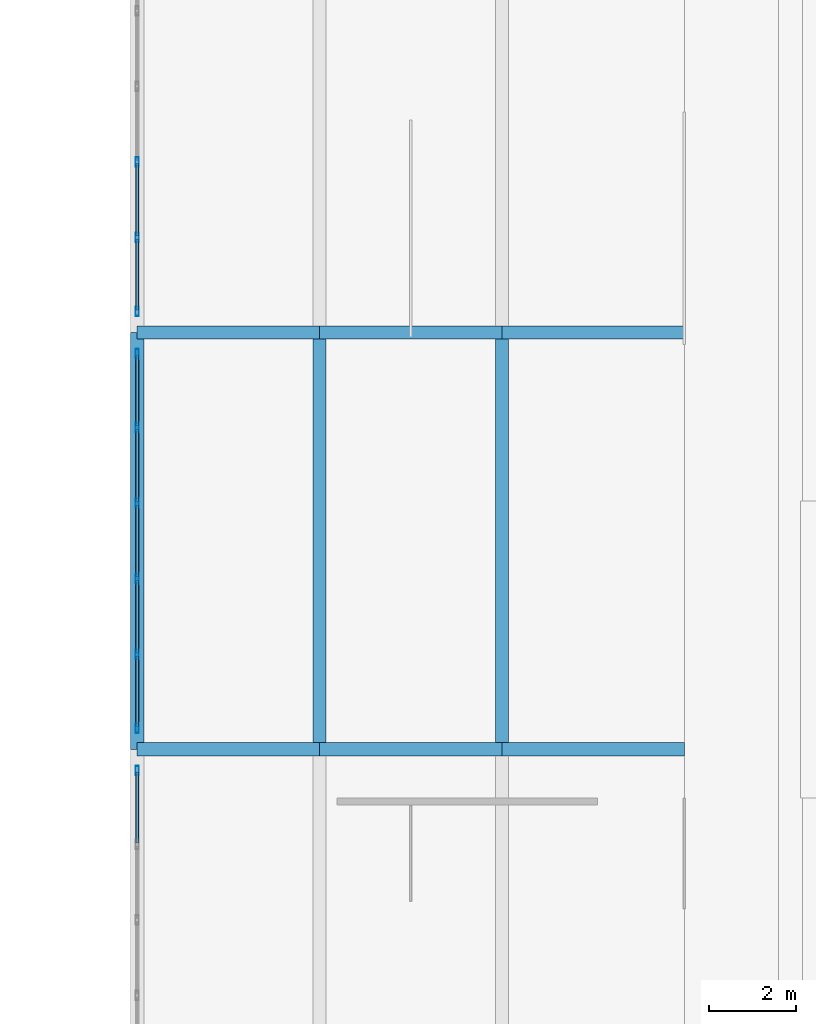
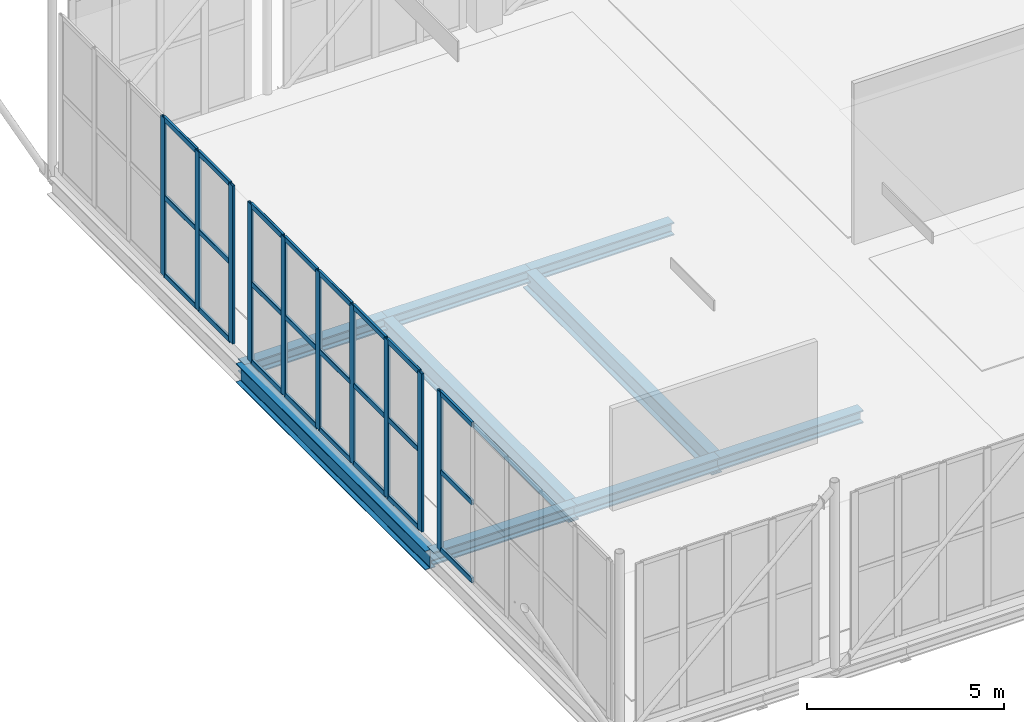
# One storey, part 5 of 49: 40 members, 3 beams, 3 elements without a shape of their own.
"""IFC4 building model written with IfcOpenShell, lengths in metres."""

from ifc_helpers import new_model, si_unit, direction, frame, origin, origin_2d, place, context, subcontext, project, spatial, hollow_rectangle, i_section, extrude, material, layer, layer_set, material_profile, profile_set, type_object, element, aggregate, save


model = new_model("IFC4")

# Units and contexts
model_context = context("Model", 3, precision=1e-05, world=origin(), true_north=direction((0.0, 1.0)))
body_context = subcontext(model_context, "Body", "Model", "MODEL_VIEW")
ifc_project = project(units=[si_unit("LENGTHUNIT", "METRE"), si_unit("AREAUNIT", "SQUARE_METRE"), si_unit("VOLUMEUNIT", "CUBIC_METRE"), si_unit("PLANEANGLEUNIT", "RADIAN"), si_unit("MASSUNIT", "GRAM", prefix="KILO")], contexts=[model_context])

# Site, building, storey
site_placement = place(None, origin())
site = spatial("IfcSite", under=ifc_project, at=site_placement, CompositionType="ELEMENT")
building_placement = place(site_placement, origin())
building = spatial("IfcBuilding", under=site, at=building_placement, Name="Zulmaris Art Gallery", CompositionType="ELEMENT")
storey_placement = place(building_placement, frame((0.0, 0.0, 20.699951171875)))
storey = spatial("IfcBuildingStorey", under=building, at=storey_placement, Name="L04", CompositionType="ELEMENT", Elevation=20.699951171875)

# Beams
ifc_material_1 = material(Name="Steel S355J2", Category="steel")
ifc_material_profile_1 = material_profile(ifc_material_1, i_section(OverallWidth=0.300048828125, OverallDepth=0.590087890625, WebThickness=0.012939453125, FlangeThickness=0.02490234375, FilletRadius=0.027099609375, at=origin_2d()), Name="HEA 600")
ifc_profile_set_1 = profile_set([ifc_material_profile_1], Name="Steel S355J2")
beam_type = type_object("IfcBeamType", Name="BEAM-BM12", PredefinedType="BEAM", material=ifc_profile_set_1)
for number, where, z_axis, x_axis, name in (
    (1, (11.39990234375, 31.199951171875, -0.614990234375), (0.0, 1.0, 0.0), (-1.0, 0.0, 0.0), "L04 cantilever transverse girder at x=11.4"),
    (2, (15.60009765625, 31.199951171875, -0.614990234375), (0.0, 1.0, 0.0), (-1.0, 0.0, 0.0), "L04 cantilever transverse girder at x=15.6"),
    (3, (19.800048828125, 31.199951171875, -0.614990234375), (0.0, 1.0, 0.0), (-1.0, 0.0, 0.0), "L04 cantilever transverse girder at x=19.8"),
):
    element("IfcBeam", number, at=place(storey_placement, frame(where, z_axis=z_axis, x_axis=x_axis)), inside=storey, type_object=beam_type, Name=name, PredefinedType="BEAM", context=body_context, shape_type="SweptSolid", body=[
        extrude(i_section(OverallWidth=0.300048828125, OverallDepth=0.590087890625, WebThickness=0.012939453125, FlangeThickness=0.02490234375, FilletRadius=0.027099609375, at=origin_2d()), origin(), (0.0, 0.0, 1.0), 9.60009765625),
    ])

# Curtain wall, member
ifc_material_2 = material(Name="Belvedere Horizon Glazed Curtain Wall", Category="aluminium")
ifc_layer = layer(ifc_material_2, 0.179931640625)
ifc_layer_set = layer_set([ifc_layer], Name="Belvedere Horizon Glazed Curtain Wall")
curtain_wall_type = type_object("IfcCurtainWallType", Name="CW-CW02", PredefinedType="NOTDEFINED", material=ifc_layer_set)
curtain_wall_1_placement = place(storey_placement, origin())
curtain_wall_1 = element("IfcCurtainWall", 4, at=curtain_wall_1_placement, inside=storey, type_object=curtain_wall_type, Name="L04 curtain wall 35", PredefinedType="NOTDEFINED")
ifc_material_3 = material(Name="Anodised Bronze Aluminium", Category="aluminium")
ifc_material_profile_2 = material_profile(ifc_material_3, hollow_rectangle(XDim=0.074951171875, YDim=0.219970703125, WallThickness=0.0048828125, InnerFilletRadius=0.007568359375, OuterFilletRadius=0.012451171875, at=origin_2d()), Name="ALU 75x220x5")
ifc_profile_set_2 = profile_set([ifc_material_profile_2], Name="Anodised Bronze Aluminium")
member_type_1 = type_object("IfcMemberType", Name="CWMUL-02", PredefinedType="MULLION", material=ifc_profile_set_2)
member_1_placement = place(storey_placement, frame((11.39990234375, 30.71240234375, 0.0), z_axis=(0.0, 0.0, 1.0), x_axis=(-1.0, 0.0, 0.0)))
member_1 = element("IfcMember", 5, at=member_1_placement, type_object=member_type_1, Name="CW02 mullion 6", PredefinedType="MULLION", context=body_context, shape_type="SweptSolid", body=[
    extrude(hollow_rectangle(XDim=0.074951171875, YDim=0.219970703125, WallThickness=0.0048828125, InnerFilletRadius=0.007568359375, OuterFilletRadius=0.012451171875, at=origin_2d()), origin(), (0.0, 0.0, 1.0), 4.900146484375),
])

# Curtain wall, members
curtain_wall_2_placement = place(storey_placement, origin())
curtain_wall_2 = element("IfcCurtainWall", 6, at=curtain_wall_2_placement, inside=storey, type_object=curtain_wall_type, Name="L04 curtain wall 36", PredefinedType="NOTDEFINED")
member_2_placement = place(storey_placement, frame((11.39990234375, 31.6875, 0.0), z_axis=(0.0, 0.0, 1.0), x_axis=(-1.0, 0.0, 0.0)))
member_2 = element("IfcMember", 7, at=member_2_placement, type_object=member_type_1, Name="CW02 mullion 1", PredefinedType="MULLION", context=body_context, shape_type="SweptSolid", body=[
    extrude(hollow_rectangle(XDim=0.074951171875, YDim=0.219970703125, WallThickness=0.0048828125, InnerFilletRadius=0.007568359375, OuterFilletRadius=0.012451171875, at=origin_2d()), origin(), (0.0, 0.0, 1.0), 4.900146484375),
])
member_3_placement = place(storey_placement, frame((11.39990234375, 33.389892578125, 0.0), z_axis=(0.0, 0.0, 1.0), x_axis=(-1.0, 0.0, 0.0)))
member_3 = element("IfcMember", 8, at=member_3_placement, type_object=member_type_1, Name="CW02 mullion 2", PredefinedType="MULLION", context=body_context, shape_type="SweptSolid", body=[
    extrude(hollow_rectangle(XDim=0.074951171875, YDim=0.219970703125, WallThickness=0.0048828125, InnerFilletRadius=0.007568359375, OuterFilletRadius=0.012451171875, at=origin_2d()), origin(), (0.0, 0.0, 1.0), 4.900146484375),
])
member_4_placement = place(storey_placement, frame((11.39990234375, 35.1298828125, 0.0), z_axis=(0.0, 0.0, 1.0), x_axis=(-1.0, 0.0, 0.0)))
member_4 = element("IfcMember", 9, at=member_4_placement, type_object=member_type_1, Name="CW02 mullion 3", PredefinedType="MULLION", context=body_context, shape_type="SweptSolid", body=[
    extrude(hollow_rectangle(XDim=0.074951171875, YDim=0.219970703125, WallThickness=0.0048828125, InnerFilletRadius=0.007568359375, OuterFilletRadius=0.012451171875, at=origin_2d()), origin(), (0.0, 0.0, 1.0), 4.900146484375),
])
member_5_placement = place(storey_placement, frame((11.39990234375, 36.8701171875, 0.0), z_axis=(0.0, 0.0, 1.0), x_axis=(-1.0, 0.0, 0.0)))
member_5 = element("IfcMember", 10, at=member_5_placement, type_object=member_type_1, Name="CW02 mullion 4", PredefinedType="MULLION", context=body_context, shape_type="SweptSolid", body=[
    extrude(hollow_rectangle(XDim=0.074951171875, YDim=0.219970703125, WallThickness=0.0048828125, InnerFilletRadius=0.007568359375, OuterFilletRadius=0.012451171875, at=origin_2d()), origin(), (0.0, 0.0, 1.0), 4.900146484375),
])
member_6_placement = place(storey_placement, frame((11.39990234375, 38.610107421875, 0.0), z_axis=(0.0, 0.0, 1.0), x_axis=(-1.0, 0.0, 0.0)))
member_6 = element("IfcMember", 11, at=member_6_placement, type_object=member_type_1, Name="CW02 mullion 5", PredefinedType="MULLION", context=body_context, shape_type="SweptSolid", body=[
    extrude(hollow_rectangle(XDim=0.074951171875, YDim=0.219970703125, WallThickness=0.0048828125, InnerFilletRadius=0.007568359375, OuterFilletRadius=0.012451171875, at=origin_2d()), origin(), (0.0, 0.0, 1.0), 4.900146484375),
])
member_7_placement = place(storey_placement, frame((11.39990234375, 40.3125, 0.0), z_axis=(0.0, 0.0, 1.0), x_axis=(-1.0, 0.0, 0.0)))
member_7 = element("IfcMember", 12, at=member_7_placement, type_object=member_type_1, Name="CW02 mullion 6", PredefinedType="MULLION", context=body_context, shape_type="SweptSolid", body=[
    extrude(hollow_rectangle(XDim=0.074951171875, YDim=0.219970703125, WallThickness=0.0048828125, InnerFilletRadius=0.007568359375, OuterFilletRadius=0.012451171875, at=origin_2d()), origin(), (0.0, 0.0, 1.0), 4.900146484375),
])

curtain_wall_3_placement = place(storey_placement, origin())
curtain_wall_3 = element("IfcCurtainWall", 13, at=curtain_wall_3_placement, inside=storey, type_object=curtain_wall_type, Name="L04 curtain wall 37", PredefinedType="NOTDEFINED")
member_8_placement = place(storey_placement, frame((11.39990234375, 41.28759765625, 0.0), z_axis=(0.0, 0.0, 1.0), x_axis=(-1.0, 0.0, 0.0)))
member_8 = element("IfcMember", 14, at=member_8_placement, type_object=member_type_1, Name="CW02 mullion 1", PredefinedType="MULLION", context=body_context, shape_type="SweptSolid", body=[
    extrude(hollow_rectangle(XDim=0.074951171875, YDim=0.219970703125, WallThickness=0.0048828125, InnerFilletRadius=0.007568359375, OuterFilletRadius=0.012451171875, at=origin_2d()), origin(), (0.0, 0.0, 1.0), 4.900146484375),
])
member_9_placement = place(storey_placement, frame((11.39990234375, 42.989990234375, 0.0), z_axis=(0.0, 0.0, 1.0), x_axis=(-1.0, 0.0, 0.0)))
member_9 = element("IfcMember", 15, at=member_9_placement, type_object=member_type_1, Name="CW02 mullion 2", PredefinedType="MULLION", context=body_context, shape_type="SweptSolid", body=[
    extrude(hollow_rectangle(XDim=0.074951171875, YDim=0.219970703125, WallThickness=0.0048828125, InnerFilletRadius=0.007568359375, OuterFilletRadius=0.012451171875, at=origin_2d()), origin(), (0.0, 0.0, 1.0), 4.900146484375),
])
member_10_placement = place(storey_placement, frame((11.39990234375, 44.72998046875, 0.0), z_axis=(0.0, 0.0, 1.0), x_axis=(-1.0, 0.0, 0.0)))
member_10 = element("IfcMember", 16, at=member_10_placement, type_object=member_type_1, Name="CW02 mullion 3", PredefinedType="MULLION", context=body_context, shape_type="SweptSolid", body=[
    extrude(hollow_rectangle(XDim=0.074951171875, YDim=0.219970703125, WallThickness=0.0048828125, InnerFilletRadius=0.007568359375, OuterFilletRadius=0.012451171875, at=origin_2d()), origin(), (0.0, 0.0, 1.0), 4.900146484375),
])

# Member
ifc_material_profile_3 = material_profile(ifc_material_3, hollow_rectangle(XDim=0.074951171875, YDim=0.159912109375, WallThickness=0.00390625, InnerFilletRadius=0.006103515625, OuterFilletRadius=0.010009765625, at=origin_2d()), Name="ALU 75x160x4")
ifc_profile_set_3 = profile_set([ifc_material_profile_3], Name="Anodised Bronze Aluminium")
member_type_2 = type_object("IfcMemberType", Name="CWTRN-02", PredefinedType="USERDEFINED", material=ifc_profile_set_3)
member_11_placement = place(storey_placement, frame((11.39990234375, 29.047607421875, 0.03759765625), z_axis=(0.0, 1.0, 0.0), x_axis=(-1.0, 0.0, 0.0)))
member_11 = element("IfcMember", 17, at=member_11_placement, type_object=member_type_2, Name="CW02 transom 5.1", ObjectType="TRANSOM", PredefinedType="USERDEFINED", context=body_context, shape_type="SweptSolid", body=[
    extrude(hollow_rectangle(XDim=0.074951171875, YDim=0.159912109375, WallThickness=0.00390625, InnerFilletRadius=0.006103515625, OuterFilletRadius=0.010009765625, at=origin_2d()), origin(), (0.0, 0.0, 1.0), 1.62744140625),
])

member_12_placement = place(storey_placement, frame((11.39990234375, 29.047607421875, 2.449951171875), z_axis=(0.0, 1.0, 0.0), x_axis=(-1.0, 0.0, 0.0)))
member_12 = element("IfcMember", 18, at=member_12_placement, type_object=member_type_2, Name="CW02 transom 5.2", ObjectType="TRANSOM", PredefinedType="USERDEFINED", context=body_context, shape_type="SweptSolid", body=[
    extrude(hollow_rectangle(XDim=0.074951171875, YDim=0.159912109375, WallThickness=0.00390625, InnerFilletRadius=0.006103515625, OuterFilletRadius=0.010009765625, at=origin_2d()), origin(), (0.0, 0.0, 1.0), 1.62744140625),
])

member_13_placement = place(storey_placement, frame((11.39990234375, 29.047607421875, 4.862548828125), z_axis=(0.0, 1.0, 0.0), x_axis=(-1.0, 0.0, 0.0)))
member_13 = element("IfcMember", 19, at=member_13_placement, type_object=member_type_2, Name="CW02 transom 5.3", ObjectType="TRANSOM", PredefinedType="USERDEFINED", context=body_context, shape_type="SweptSolid", body=[
    extrude(hollow_rectangle(XDim=0.074951171875, YDim=0.159912109375, WallThickness=0.00390625, InnerFilletRadius=0.006103515625, OuterFilletRadius=0.010009765625, at=origin_2d()), origin(), (0.0, 0.0, 1.0), 1.62744140625),
])

aggregate(curtain_wall_1, [member_1, member_11, member_12, member_13])

member_14_placement = place(storey_placement, frame((11.39990234375, 31.72509765625, 0.03759765625), z_axis=(0.0, 1.0, 0.0), x_axis=(-1.0, 0.0, 0.0)))
member_14 = element("IfcMember", 20, at=member_14_placement, type_object=member_type_2, Name="CW02 transom 1.1", ObjectType="TRANSOM", PredefinedType="USERDEFINED", context=body_context, shape_type="SweptSolid", body=[
    extrude(hollow_rectangle(XDim=0.074951171875, YDim=0.159912109375, WallThickness=0.00390625, InnerFilletRadius=0.006103515625, OuterFilletRadius=0.010009765625, at=origin_2d()), origin(), (0.0, 0.0, 1.0), 1.62744140625),
])

member_15_placement = place(storey_placement, frame((11.39990234375, 31.72509765625, 2.449951171875), z_axis=(0.0, 1.0, 0.0), x_axis=(-1.0, 0.0, 0.0)))
member_15 = element("IfcMember", 21, at=member_15_placement, type_object=member_type_2, Name="CW02 transom 1.2", ObjectType="TRANSOM", PredefinedType="USERDEFINED", context=body_context, shape_type="SweptSolid", body=[
    extrude(hollow_rectangle(XDim=0.074951171875, YDim=0.159912109375, WallThickness=0.00390625, InnerFilletRadius=0.006103515625, OuterFilletRadius=0.010009765625, at=origin_2d()), origin(), (0.0, 0.0, 1.0), 1.62744140625),
])

member_16_placement = place(storey_placement, frame((11.39990234375, 31.72509765625, 4.862548828125), z_axis=(0.0, 1.0, 0.0), x_axis=(-1.0, 0.0, 0.0)))
member_16 = element("IfcMember", 22, at=member_16_placement, type_object=member_type_2, Name="CW02 transom 1.3", ObjectType="TRANSOM", PredefinedType="USERDEFINED", context=body_context, shape_type="SweptSolid", body=[
    extrude(hollow_rectangle(XDim=0.074951171875, YDim=0.159912109375, WallThickness=0.00390625, InnerFilletRadius=0.006103515625, OuterFilletRadius=0.010009765625, at=origin_2d()), origin(), (0.0, 0.0, 1.0), 1.62744140625),
])

member_17_placement = place(storey_placement, frame((11.39990234375, 33.427490234375, 0.03759765625), z_axis=(0.0, 1.0, 0.0), x_axis=(-1.0, 0.0, 0.0)))
member_17 = element("IfcMember", 23, at=member_17_placement, type_object=member_type_2, Name="CW02 transom 2.1", ObjectType="TRANSOM", PredefinedType="USERDEFINED", context=body_context, shape_type="SweptSolid", body=[
    extrude(hollow_rectangle(XDim=0.074951171875, YDim=0.159912109375, WallThickness=0.00390625, InnerFilletRadius=0.006103515625, OuterFilletRadius=0.010009765625, at=origin_2d()), origin(), (0.0, 0.0, 1.0), 1.6650390625),
])

member_18_placement = place(storey_placement, frame((11.39990234375, 33.427490234375, 2.449951171875), z_axis=(0.0, 1.0, 0.0), x_axis=(-1.0, 0.0, 0.0)))
member_18 = element("IfcMember", 24, at=member_18_placement, type_object=member_type_2, Name="CW02 transom 2.2", ObjectType="TRANSOM", PredefinedType="USERDEFINED", context=body_context, shape_type="SweptSolid", body=[
    extrude(hollow_rectangle(XDim=0.074951171875, YDim=0.159912109375, WallThickness=0.00390625, InnerFilletRadius=0.006103515625, OuterFilletRadius=0.010009765625, at=origin_2d()), origin(), (0.0, 0.0, 1.0), 1.6650390625),
])

member_19_placement = place(storey_placement, frame((11.39990234375, 33.427490234375, 4.862548828125), z_axis=(0.0, 1.0, 0.0), x_axis=(-1.0, 0.0, 0.0)))
member_19 = element("IfcMember", 25, at=member_19_placement, type_object=member_type_2, Name="CW02 transom 2.3", ObjectType="TRANSOM", PredefinedType="USERDEFINED", context=body_context, shape_type="SweptSolid", body=[
    extrude(hollow_rectangle(XDim=0.074951171875, YDim=0.159912109375, WallThickness=0.00390625, InnerFilletRadius=0.006103515625, OuterFilletRadius=0.010009765625, at=origin_2d()), origin(), (0.0, 0.0, 1.0), 1.6650390625),
])

member_20_placement = place(storey_placement, frame((11.39990234375, 35.16748046875, 0.03759765625), z_axis=(0.0, 1.0, 0.0), x_axis=(-1.0, 0.0, 0.0)))
member_20 = element("IfcMember", 26, at=member_20_placement, type_object=member_type_2, Name="CW02 transom 3.1", ObjectType="TRANSOM", PredefinedType="USERDEFINED", context=body_context, shape_type="SweptSolid", body=[
    extrude(hollow_rectangle(XDim=0.074951171875, YDim=0.159912109375, WallThickness=0.00390625, InnerFilletRadius=0.006103515625, OuterFilletRadius=0.010009765625, at=origin_2d()), origin(), (0.0, 0.0, 1.0), 1.6650390625),
])

member_21_placement = place(storey_placement, frame((11.39990234375, 35.16748046875, 2.449951171875), z_axis=(0.0, 1.0, 0.0), x_axis=(-1.0, 0.0, 0.0)))
member_21 = element("IfcMember", 27, at=member_21_placement, type_object=member_type_2, Name="CW02 transom 3.2", ObjectType="TRANSOM", PredefinedType="USERDEFINED", context=body_context, shape_type="SweptSolid", body=[
    extrude(hollow_rectangle(XDim=0.074951171875, YDim=0.159912109375, WallThickness=0.00390625, InnerFilletRadius=0.006103515625, OuterFilletRadius=0.010009765625, at=origin_2d()), origin(), (0.0, 0.0, 1.0), 1.6650390625),
])

member_22_placement = place(storey_placement, frame((11.39990234375, 35.16748046875, 4.862548828125), z_axis=(0.0, 1.0, 0.0), x_axis=(-1.0, 0.0, 0.0)))
member_22 = element("IfcMember", 28, at=member_22_placement, type_object=member_type_2, Name="CW02 transom 3.3", ObjectType="TRANSOM", PredefinedType="USERDEFINED", context=body_context, shape_type="SweptSolid", body=[
    extrude(hollow_rectangle(XDim=0.074951171875, YDim=0.159912109375, WallThickness=0.00390625, InnerFilletRadius=0.006103515625, OuterFilletRadius=0.010009765625, at=origin_2d()), origin(), (0.0, 0.0, 1.0), 1.6650390625),
])

member_23_placement = place(storey_placement, frame((11.39990234375, 36.907470703125, 0.03759765625), z_axis=(0.0, 1.0, 0.0), x_axis=(-1.0, 0.0, 0.0)))
member_23 = element("IfcMember", 29, at=member_23_placement, type_object=member_type_2, Name="CW02 transom 4.1", ObjectType="TRANSOM", PredefinedType="USERDEFINED", context=body_context, shape_type="SweptSolid", body=[
    extrude(hollow_rectangle(XDim=0.074951171875, YDim=0.159912109375, WallThickness=0.00390625, InnerFilletRadius=0.006103515625, OuterFilletRadius=0.010009765625, at=origin_2d()), origin(), (0.0, 0.0, 1.0), 1.6650390625),
])

member_24_placement = place(storey_placement, frame((11.39990234375, 36.907470703125, 2.449951171875), z_axis=(0.0, 1.0, 0.0), x_axis=(-1.0, 0.0, 0.0)))
member_24 = element("IfcMember", 30, at=member_24_placement, type_object=member_type_2, Name="CW02 transom 4.2", ObjectType="TRANSOM", PredefinedType="USERDEFINED", context=body_context, shape_type="SweptSolid", body=[
    extrude(hollow_rectangle(XDim=0.074951171875, YDim=0.159912109375, WallThickness=0.00390625, InnerFilletRadius=0.006103515625, OuterFilletRadius=0.010009765625, at=origin_2d()), origin(), (0.0, 0.0, 1.0), 1.6650390625),
])

member_25_placement = place(storey_placement, frame((11.39990234375, 36.907470703125, 4.862548828125), z_axis=(0.0, 1.0, 0.0), x_axis=(-1.0, 0.0, 0.0)))
member_25 = element("IfcMember", 31, at=member_25_placement, type_object=member_type_2, Name="CW02 transom 4.3", ObjectType="TRANSOM", PredefinedType="USERDEFINED", context=body_context, shape_type="SweptSolid", body=[
    extrude(hollow_rectangle(XDim=0.074951171875, YDim=0.159912109375, WallThickness=0.00390625, InnerFilletRadius=0.006103515625, OuterFilletRadius=0.010009765625, at=origin_2d()), origin(), (0.0, 0.0, 1.0), 1.6650390625),
])

member_26_placement = place(storey_placement, frame((11.39990234375, 38.6474609375, 0.03759765625), z_axis=(0.0, 1.0, 0.0), x_axis=(-1.0, 0.0, 0.0)))
member_26 = element("IfcMember", 32, at=member_26_placement, type_object=member_type_2, Name="CW02 transom 5.1", ObjectType="TRANSOM", PredefinedType="USERDEFINED", context=body_context, shape_type="SweptSolid", body=[
    extrude(hollow_rectangle(XDim=0.074951171875, YDim=0.159912109375, WallThickness=0.00390625, InnerFilletRadius=0.006103515625, OuterFilletRadius=0.010009765625, at=origin_2d()), origin(), (0.0, 0.0, 1.0), 1.62744140625),
])

member_27_placement = place(storey_placement, frame((11.39990234375, 38.6474609375, 2.449951171875), z_axis=(0.0, 1.0, 0.0), x_axis=(-1.0, 0.0, 0.0)))
member_27 = element("IfcMember", 33, at=member_27_placement, type_object=member_type_2, Name="CW02 transom 5.2", ObjectType="TRANSOM", PredefinedType="USERDEFINED", context=body_context, shape_type="SweptSolid", body=[
    extrude(hollow_rectangle(XDim=0.074951171875, YDim=0.159912109375, WallThickness=0.00390625, InnerFilletRadius=0.006103515625, OuterFilletRadius=0.010009765625, at=origin_2d()), origin(), (0.0, 0.0, 1.0), 1.62744140625),
])

member_28_placement = place(storey_placement, frame((11.39990234375, 38.6474609375, 4.862548828125), z_axis=(0.0, 1.0, 0.0), x_axis=(-1.0, 0.0, 0.0)))
member_28 = element("IfcMember", 34, at=member_28_placement, type_object=member_type_2, Name="CW02 transom 5.3", ObjectType="TRANSOM", PredefinedType="USERDEFINED", context=body_context, shape_type="SweptSolid", body=[
    extrude(hollow_rectangle(XDim=0.074951171875, YDim=0.159912109375, WallThickness=0.00390625, InnerFilletRadius=0.006103515625, OuterFilletRadius=0.010009765625, at=origin_2d()), origin(), (0.0, 0.0, 1.0), 1.62744140625),
])

aggregate(curtain_wall_2, [member_2, member_3, member_4, member_5, member_6, member_7, member_14, member_15, member_16, member_17, member_18, member_19, member_20, member_21, member_22, member_23, member_24, member_25, member_26, member_27, member_28])

member_29_placement = place(storey_placement, frame((11.39990234375, 41.324951171875, 0.03759765625), z_axis=(0.0, 1.0, 0.0), x_axis=(-1.0, 0.0, 0.0)))
member_29 = element("IfcMember", 35, at=member_29_placement, type_object=member_type_2, Name="CW02 transom 1.1", ObjectType="TRANSOM", PredefinedType="USERDEFINED", context=body_context, shape_type="SweptSolid", body=[
    extrude(hollow_rectangle(XDim=0.074951171875, YDim=0.159912109375, WallThickness=0.00390625, InnerFilletRadius=0.006103515625, OuterFilletRadius=0.010009765625, at=origin_2d()), origin(), (0.0, 0.0, 1.0), 1.62744140625),
])

member_30_placement = place(storey_placement, frame((11.39990234375, 41.324951171875, 2.449951171875), z_axis=(0.0, 1.0, 0.0), x_axis=(-1.0, 0.0, 0.0)))
member_30 = element("IfcMember", 36, at=member_30_placement, type_object=member_type_2, Name="CW02 transom 1.2", ObjectType="TRANSOM", PredefinedType="USERDEFINED", context=body_context, shape_type="SweptSolid", body=[
    extrude(hollow_rectangle(XDim=0.074951171875, YDim=0.159912109375, WallThickness=0.00390625, InnerFilletRadius=0.006103515625, OuterFilletRadius=0.010009765625, at=origin_2d()), origin(), (0.0, 0.0, 1.0), 1.62744140625),
])

member_31_placement = place(storey_placement, frame((11.39990234375, 41.324951171875, 4.862548828125), z_axis=(0.0, 1.0, 0.0), x_axis=(-1.0, 0.0, 0.0)))
member_31 = element("IfcMember", 37, at=member_31_placement, type_object=member_type_2, Name="CW02 transom 1.3", ObjectType="TRANSOM", PredefinedType="USERDEFINED", context=body_context, shape_type="SweptSolid", body=[
    extrude(hollow_rectangle(XDim=0.074951171875, YDim=0.159912109375, WallThickness=0.00390625, InnerFilletRadius=0.006103515625, OuterFilletRadius=0.010009765625, at=origin_2d()), origin(), (0.0, 0.0, 1.0), 1.62744140625),
])

member_32_placement = place(storey_placement, frame((11.39990234375, 43.027587890625, 0.03759765625), z_axis=(0.0, 1.0, 0.0), x_axis=(-1.0, 0.0, 0.0)))
member_32 = element("IfcMember", 38, at=member_32_placement, type_object=member_type_2, Name="CW02 transom 2.1", ObjectType="TRANSOM", PredefinedType="USERDEFINED", context=body_context, shape_type="SweptSolid", body=[
    extrude(hollow_rectangle(XDim=0.074951171875, YDim=0.159912109375, WallThickness=0.00390625, InnerFilletRadius=0.006103515625, OuterFilletRadius=0.010009765625, at=origin_2d()), origin(), (0.0, 0.0, 1.0), 1.664794921875),
])

member_33_placement = place(storey_placement, frame((11.39990234375, 43.027587890625, 2.449951171875), z_axis=(0.0, 1.0, 0.0), x_axis=(-1.0, 0.0, 0.0)))
member_33 = element("IfcMember", 39, at=member_33_placement, type_object=member_type_2, Name="CW02 transom 2.2", ObjectType="TRANSOM", PredefinedType="USERDEFINED", context=body_context, shape_type="SweptSolid", body=[
    extrude(hollow_rectangle(XDim=0.074951171875, YDim=0.159912109375, WallThickness=0.00390625, InnerFilletRadius=0.006103515625, OuterFilletRadius=0.010009765625, at=origin_2d()), origin(), (0.0, 0.0, 1.0), 1.664794921875),
])

member_34_placement = place(storey_placement, frame((11.39990234375, 43.027587890625, 4.862548828125), z_axis=(0.0, 1.0, 0.0), x_axis=(-1.0, 0.0, 0.0)))
member_34 = element("IfcMember", 40, at=member_34_placement, type_object=member_type_2, Name="CW02 transom 2.3", ObjectType="TRANSOM", PredefinedType="USERDEFINED", context=body_context, shape_type="SweptSolid", body=[
    extrude(hollow_rectangle(XDim=0.074951171875, YDim=0.159912109375, WallThickness=0.00390625, InnerFilletRadius=0.006103515625, OuterFilletRadius=0.010009765625, at=origin_2d()), origin(), (0.0, 0.0, 1.0), 1.664794921875),
])

aggregate(curtain_wall_3, [member_8, member_9, member_10, member_29, member_30, member_31, member_32, member_33, member_34])

# Members
ifc_material_profile_4 = material_profile(ifc_material_1, i_section(OverallWidth=0.30810546875, OverallDepth=0.39501953125, WebThickness=0.02099609375, FlangeThickness=0.0400390625, FilletRadius=0.027099609375, at=origin_2d()), Name="HEM 360")
ifc_profile_set_4 = profile_set([ifc_material_profile_4], Name="Steel S355J2")
member_type_3 = type_object("IfcMemberType", Name="MEM-TC04", PredefinedType="CHORD", material=ifc_profile_set_4)
member_35_placement = place(storey_placement, frame((11.39990234375, 31.199951171875, -0.517333984375), z_axis=(1.0, 0.0, 0.0), x_axis=(0.0, 1.0, 0.0)))
element("IfcMember", 41, at=member_35_placement, inside=storey, type_object=member_type_3, Name="Cantilever truss TR-C2 top chord 1", PredefinedType="CHORD", context=body_context, shape_type="SweptSolid", body=[
    extrude(i_section(OverallWidth=0.30810546875, OverallDepth=0.39501953125, WebThickness=0.02099609375, FlangeThickness=0.0400390625, FilletRadius=0.027099609375, at=origin_2d()), origin(), (0.0, 0.0, 1.0), 4.2001953125),
])
for number, where, z_axis, x_axis, name in (
    (42, (15.60009765625, 31.199951171875, -0.517333984375), (1.0, 0.0, 0.0), (0.0, 1.0, 0.0), "Cantilever truss TR-C2 top chord 2"),
    (43, (19.800048828125, 31.199951171875, -0.517333984375), (1.0, 0.0, 0.0), (0.0, 1.0, 0.0), "Cantilever truss TR-C2 top chord 3"),
):
    element("IfcMember", number, at=place(storey_placement, frame(where, z_axis=z_axis, x_axis=x_axis)), inside=storey, type_object=member_type_3, Name=name, PredefinedType="CHORD", context=body_context, shape_type="SweptSolid", body=[
        extrude(i_section(OverallWidth=0.30810546875, OverallDepth=0.39501953125, WebThickness=0.02099609375, FlangeThickness=0.0400390625, FilletRadius=0.027099609375, at=origin_2d()), origin(), (0.0, 0.0, 1.0), 4.199951171875),
    ])
member_36_placement = place(storey_placement, frame((11.39990234375, 40.800048828125, -0.517333984375), z_axis=(1.0, 0.0, 0.0), x_axis=(0.0, 1.0, 0.0)))
element("IfcMember", 44, at=member_36_placement, inside=storey, type_object=member_type_3, Name="Cantilever truss TR-C3 top chord 1", PredefinedType="CHORD", context=body_context, shape_type="SweptSolid", body=[
    extrude(i_section(OverallWidth=0.30810546875, OverallDepth=0.39501953125, WebThickness=0.02099609375, FlangeThickness=0.0400390625, FilletRadius=0.027099609375, at=origin_2d()), origin(), (0.0, 0.0, 1.0), 4.2001953125),
])
for number, where, z_axis, x_axis, name in (
    (45, (15.60009765625, 40.800048828125, -0.517333984375), (1.0, 0.0, 0.0), (0.0, 1.0, 0.0), "Cantilever truss TR-C3 top chord 2"),
    (46, (19.800048828125, 40.800048828125, -0.517333984375), (1.0, 0.0, 0.0), (0.0, 1.0, 0.0), "Cantilever truss TR-C3 top chord 3"),
):
    element("IfcMember", number, at=place(storey_placement, frame(where, z_axis=z_axis, x_axis=x_axis)), inside=storey, type_object=member_type_3, Name=name, PredefinedType="CHORD", context=body_context, shape_type="SweptSolid", body=[
        extrude(i_section(OverallWidth=0.30810546875, OverallDepth=0.39501953125, WebThickness=0.02099609375, FlangeThickness=0.0400390625, FilletRadius=0.027099609375, at=origin_2d()), origin(), (0.0, 0.0, 1.0), 4.199951171875),
    ])

save(model, "model.ifc")
